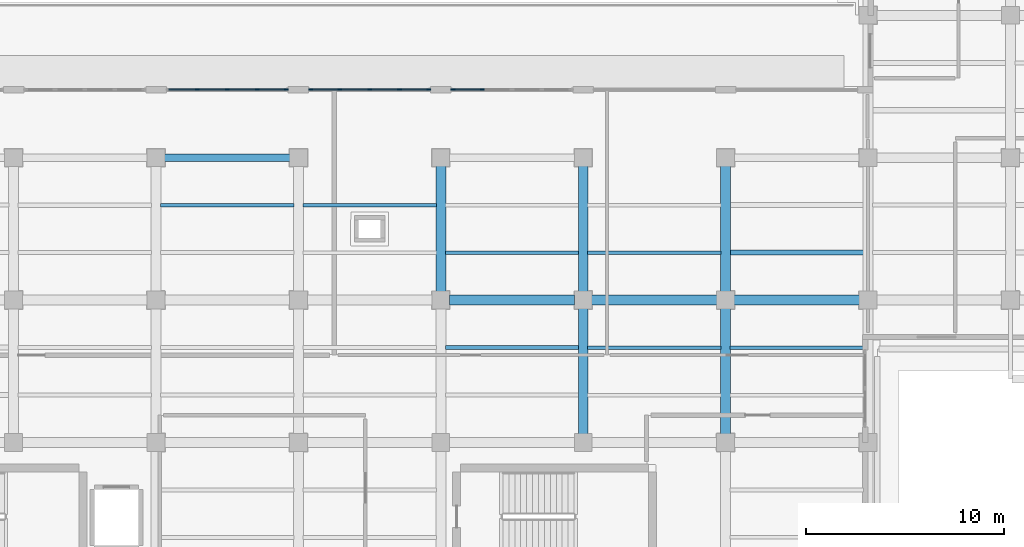
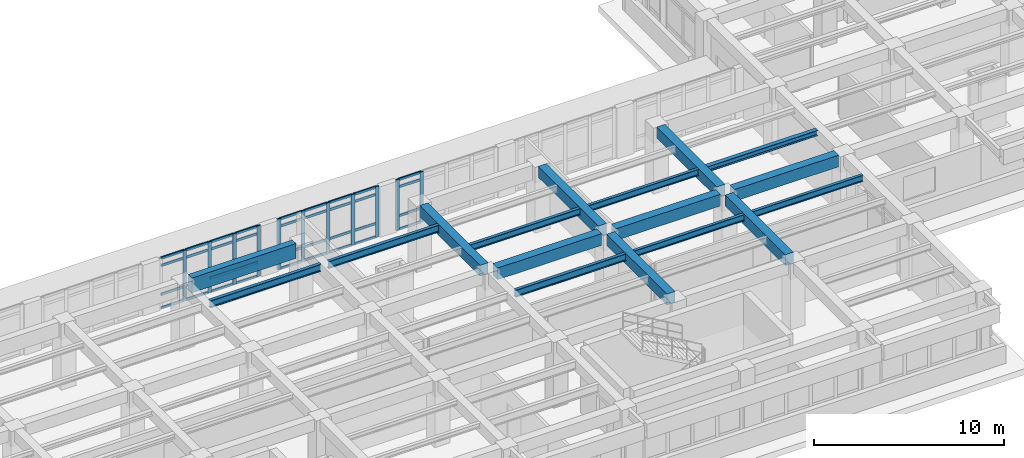
# One storey, part 14 of 69: 47 members, 17 beams, 3 elements without a shape of their own.
"""IFC4 building model written with IfcOpenShell, lengths in metres."""

from ifc_helpers import new_model, si_unit, direction, frame, origin, origin_2d, place, context, subcontext, project, spatial, rectangle, i_section, extrude, material, layer, layer_set, material_profile, profile_set, type_object, element, aggregate, save


model = new_model("IFC4")

# Units and contexts
model_context = context("Model", 3, precision=1e-05, world=origin(), true_north=direction((0.0, 1.0)))
body_context = subcontext(model_context, "Body", "Model", "MODEL_VIEW")
ifc_project = project(units=[si_unit("LENGTHUNIT", "METRE"), si_unit("AREAUNIT", "SQUARE_METRE"), si_unit("VOLUMEUNIT", "CUBIC_METRE"), si_unit("PLANEANGLEUNIT", "RADIAN"), si_unit("MASSUNIT", "GRAM", prefix="KILO")], contexts=[model_context])

# Site, building, storey
site_placement = place(None, origin())
site = spatial("IfcSite", under=ifc_project, at=site_placement, CompositionType="ELEMENT")
building_placement = place(site_placement, origin())
building = spatial("IfcBuilding", under=site, at=building_placement, Name="Solenvale Faculty of Natural Sciences", CompositionType="ELEMENT")
storey_placement = place(building_placement, frame((0.0, 0.0, 4.5)))
storey = spatial("IfcBuildingStorey", under=building, at=storey_placement, Name="L01", CompositionType="ELEMENT", Elevation=4.5)

# Beams
ifc_material_1 = material(Name="Concrete 40 MPa", Category="concrete")
ifc_material_profile_1 = material_profile(ifc_material_1, rectangle(XDim=0.5, YDim=0.699951171875, at=origin_2d()), Name="RC-BM-500x700")
ifc_profile_set_1 = profile_set([ifc_material_profile_1], Name="Concrete 40 MPa")
beam_type_1 = type_object("IfcBeamType", Name="BM-RC-500x700", PredefinedType="BEAM", material=ifc_profile_set_1)
for number, where, z_axis, x_axis, name in (
    (1, (93.60009765625, 36.429931640625, 3.8701171875), (0.0, 1.0, 0.0), (-1.0, 0.0, 0.0), "L01 Y-Girder X93.6 (36.0..43.2)"),
    (2, (100.800048828125, 29.22998046875, 3.8701171875), (0.0, 1.0, 0.0), (-1.0, 0.0, 0.0), "L01 Y-Girder X100.8 (28.8..36.0)"),
    (3, (100.800048828125, 36.429931640625, 3.8701171875), (0.0, 1.0, 0.0), (-1.0, 0.0, 0.0), "L01 Y-Girder X100.8 (36.0..43.2)"),
    (4, (108.0, 29.22998046875, 3.8701171875), (0.0, 1.0, 0.0), (-1.0, 0.0, 0.0), "L01 Y-Girder X108.0 (28.8..36.0)"),
    (5, (108.0, 36.429931640625, 3.8701171875), (0.0, 1.0, 0.0), (-1.0, 0.0, 0.0), "L01 Y-Girder X108.0 (36.0..43.2)"),
):
    element("IfcBeam", number, at=place(storey_placement, frame(where, z_axis=z_axis, x_axis=x_axis)), inside=storey, type_object=beam_type_1, Name=name, PredefinedType="BEAM", context=body_context, shape_type="SweptSolid", body=[
        extrude(rectangle(XDim=0.5, YDim=0.699951171875, at=origin_2d()), origin(), (0.0, 0.0, 1.0), 6.340087890625),
    ])
ifc_material_profile_2 = material_profile(ifc_material_1, rectangle(XDim=0.5, YDim=0.75, at=origin_2d()), Name="RC-BM-500x750")
ifc_profile_set_2 = profile_set([ifc_material_profile_2], Name="Concrete 40 MPa")
beam_type_2 = type_object("IfcBeamType", Name="BM-RC-500x750", PredefinedType="BEAM", material=ifc_profile_set_2)
for number, where, z_axis, x_axis, name in (
    (6, (94.030029296875, 36.0, 3.844970703125), (1.0, 0.0, 0.0), (0.0, 1.0, 0.0), "L01 X-Girder Y36.0 (93.6..100.8)"),
    (7, (101.22998046875, 36.0, 3.844970703125), (1.0, 0.0, 0.0), (0.0, 1.0, 0.0), "L01 X-Girder Y36.0 (100.8..108.0)"),
    (8, (108.429931640625, 36.0, 3.844970703125), (1.0, 0.0, 0.0), (0.0, 1.0, 0.0), "L01 X-Girder Y36.0 (108.0..115.2)"),
):
    element("IfcBeam", number, at=place(storey_placement, frame(where, z_axis=z_axis, x_axis=x_axis)), inside=storey, type_object=beam_type_2, Name=name, PredefinedType="BEAM", context=body_context, shape_type="SweptSolid", body=[
        extrude(rectangle(XDim=0.5, YDim=0.75, at=origin_2d()), origin(), (0.0, 0.0, 1.0), 6.340087890625),
    ])
ifc_material_2 = material(Name="Architectural bronze concrete 40 MPa", Category="concrete")
ifc_material_profile_3 = material_profile(ifc_material_2, rectangle(XDim=0.39990234375, YDim=0.949951171875, at=origin_2d()), Name="RC-SPN-400x950")
ifc_profile_set_3 = profile_set([ifc_material_profile_3], Name="Architectural bronze concrete 40 MPa")
beam_type_3 = type_object("IfcBeamType", Name="BM-SPN-BRZ-950", PredefinedType="SPANDREL", material=ifc_profile_set_3)
beam_1_placement = place(storey_placement, frame((79.6298828125, 43.199951171875, 3.7451171875), z_axis=(1.0, 0.0, 0.0), x_axis=(0.0, 1.0, 0.0)))
element("IfcBeam", 9, at=beam_1_placement, inside=storey, type_object=beam_type_3, Name="L02 Sliding-Tray North Bronze Fascia 4", PredefinedType="SPANDREL", context=body_context, shape_type="SweptSolid", body=[
    extrude(rectangle(XDim=0.39990234375, YDim=0.949951171875, at=origin_2d()), origin(), (0.0, 0.0, 1.0), 6.340087890625),
])
ifc_material_3 = material(Name="Steel S355", Category="steel")
ifc_material_profile_4 = material_profile(ifc_material_3, i_section(OverallWidth=0.2548828125, OverallDepth=0.35693359375, WebThickness=0.010498046875, FlangeThickness=0.018310546875, FilletRadius=0.014892578125, at=origin_2d()), Name="W360x101")
ifc_profile_set_4 = profile_set([ifc_material_profile_4], Name="Steel S355")
beam_type_4 = type_object("IfcBeamType", Name="BM-STL-W360x101", PredefinedType="JOIST", material=ifc_profile_set_4)
beam_2_placement = place(storey_placement, frame((108.22998046875, 38.39990234375, 4.04150390625), z_axis=(1.0, 0.0, 0.0), x_axis=(0.0, 1.0, 0.0)))
element("IfcBeam", 10, at=beam_2_placement, inside=storey, type_object=beam_type_4, Name="L01 Composite Floor Joist (16,6).1", PredefinedType="JOIST", context=body_context, shape_type="SweptSolid", body=[
    extrude(i_section(OverallWidth=0.2548828125, OverallDepth=0.35693359375, WebThickness=0.010498046875, FlangeThickness=0.018310546875, FilletRadius=0.014892578125, at=origin_2d()), origin(), (0.0, 0.0, 1.0), 6.739990234375),
])
ifc_material_profile_5 = material_profile(ifc_material_3, i_section(OverallWidth=0.178955078125, OverallDepth=0.409912109375, WebThickness=0.0087890625, FlangeThickness=0.014404296875, FilletRadius=0.01611328125, at=origin_2d()), Name="W410x67")
ifc_profile_set_5 = profile_set([ifc_material_profile_5], Name="Steel S355")
beam_type_5 = type_object("IfcBeamType", Name="BM-STL-W410x67", PredefinedType="JOIST", material=ifc_profile_set_5)
for number, where, z_axis, x_axis, name in (
    (11, (101.030029296875, 38.39990234375, 4.014892578125), (1.0, 0.0, 0.0), (0.0, 1.0, 0.0), "L01 Composite Floor Joist (15,6).1"),
    (12, (108.22998046875, 33.60009765625, 4.014892578125), (1.0, 0.0, 0.0), (0.0, 1.0, 0.0), "L01 Composite Floor Joist (16,5).2"),
):
    element("IfcBeam", number, at=place(storey_placement, frame(where, z_axis=z_axis, x_axis=x_axis)), inside=storey, type_object=beam_type_5, Name=name, PredefinedType="JOIST", context=body_context, shape_type="SweptSolid", body=[
        extrude(i_section(OverallWidth=0.178955078125, OverallDepth=0.409912109375, WebThickness=0.0087890625, FlangeThickness=0.014404296875, FilletRadius=0.01611328125, at=origin_2d()), origin(), (0.0, 0.0, 1.0), 6.739990234375),
    ])
ifc_material_profile_6 = material_profile(ifc_material_3, i_section(OverallWidth=0.180908203125, OverallDepth=0.4169921875, WebThickness=0.010986328125, FlangeThickness=0.018310546875, FilletRadius=0.01611328125, at=origin_2d()), Name="W410x85")
ifc_profile_set_6 = profile_set([ifc_material_profile_6], Name="Steel S355")
beam_type_6 = type_object("IfcBeamType", Name="BM-STL-W410x85", PredefinedType="JOIST", material=ifc_profile_set_6)
for number, where, z_axis, x_axis, name in (
    (13, (93.830078125, 38.39990234375, 4.011474609375), (1.0, 0.0, 0.0), (0.0, 1.0, 0.0), "L01 Composite Floor Joist (14,6).1"),
    (14, (101.030029296875, 33.60009765625, 4.011474609375), (1.0, 0.0, 0.0), (0.0, 1.0, 0.0), "L01 Composite Floor Joist (15,5).2"),
):
    element("IfcBeam", number, at=place(storey_placement, frame(where, z_axis=z_axis, x_axis=x_axis)), inside=storey, type_object=beam_type_6, Name=name, PredefinedType="JOIST", context=body_context, shape_type="SweptSolid", body=[
        extrude(i_section(OverallWidth=0.180908203125, OverallDepth=0.4169921875, WebThickness=0.010986328125, FlangeThickness=0.018310546875, FilletRadius=0.01611328125, at=origin_2d()), origin(), (0.0, 0.0, 1.0), 6.739990234375),
    ])
ifc_material_profile_7 = material_profile(ifc_material_3, i_section(OverallWidth=0.194091796875, OverallDepth=0.468994140625, WebThickness=0.0126953125, FlangeThickness=0.0205078125, FilletRadius=0.01806640625, at=origin_2d()), Name="W460x106")
ifc_profile_set_7 = profile_set([ifc_material_profile_7], Name="Steel S355")
beam_type_7 = type_object("IfcBeamType", Name="BM-STL-W460x106", PredefinedType="JOIST", material=ifc_profile_set_7)
beam_3_placement = place(storey_placement, frame((79.429931640625, 40.800048828125, 3.985595703125), z_axis=(1.0, 0.0, 0.0), x_axis=(0.0, 1.0, 0.0)))
element("IfcBeam", 15, at=beam_3_placement, inside=storey, type_object=beam_type_7, Name="L01 Composite Floor Joist (12,6).2", PredefinedType="JOIST", context=body_context, shape_type="SweptSolid", body=[
    extrude(i_section(OverallWidth=0.194091796875, OverallDepth=0.468994140625, WebThickness=0.0126953125, FlangeThickness=0.0205078125, FilletRadius=0.01806640625, at=origin_2d()), origin(), (0.0, 0.0, 1.0), 6.739990234375),
])
ifc_material_profile_8 = material_profile(ifc_material_3, i_section(OverallWidth=0.19091796875, OverallDepth=0.4599609375, WebThickness=0.010009765625, FlangeThickness=0.01611328125, FilletRadius=0.01806640625, at=origin_2d()), Name="W460x82")
ifc_profile_set_8 = profile_set([ifc_material_profile_8], Name="Steel S355")
beam_type_8 = type_object("IfcBeamType", Name="BM-STL-W460x82", PredefinedType="JOIST", material=ifc_profile_set_8)
beam_4_placement = place(storey_placement, frame((86.6298828125, 40.800048828125, 3.989990234375), z_axis=(1.0, 0.0, 0.0), x_axis=(0.0, 1.0, 0.0)))
element("IfcBeam", 16, at=beam_4_placement, inside=storey, type_object=beam_type_8, Name="L01 Composite Floor Joist (13,6).2", PredefinedType="JOIST", context=body_context, shape_type="SweptSolid", body=[
    extrude(i_section(OverallWidth=0.19091796875, OverallDepth=0.4599609375, WebThickness=0.010009765625, FlangeThickness=0.01611328125, FilletRadius=0.01806640625, at=origin_2d()), origin(), (0.0, 0.0, 1.0), 6.740234375),
])
beam_5_placement = place(storey_placement, frame((93.830078125, 33.60009765625, 3.989990234375), z_axis=(1.0, 0.0, 0.0), x_axis=(0.0, 1.0, 0.0)))
element("IfcBeam", 17, at=beam_5_placement, inside=storey, type_object=beam_type_8, Name="L01 Composite Floor Joist (14,5).2", PredefinedType="JOIST", context=body_context, shape_type="SweptSolid", body=[
    extrude(i_section(OverallWidth=0.19091796875, OverallDepth=0.4599609375, WebThickness=0.010009765625, FlangeThickness=0.01611328125, FilletRadius=0.01806640625, at=origin_2d()), origin(), (0.0, 0.0, 1.0), 6.739990234375),
])

# Curtain wall, members
ifc_material_4 = material(Name="Anodised bronze aluminium", Category="aluminium")
ifc_layer = layer(ifc_material_4, 0.18994140625)
ifc_layer_set = layer_set([ifc_layer], Name="Anodised bronze aluminium")
curtain_wall_type = type_object("IfcCurtainWallType", Name="CW-TRAY-REC", PredefinedType="USERDEFINED", material=ifc_layer_set)
curtain_wall_1_placement = place(storey_placement, origin())
curtain_wall_1 = element("IfcCurtainWall", 18, at=curtain_wall_1_placement, inside=storey, type_object=curtain_wall_type, Name="L01 Curtain Wall CW-L01-P1-E11-B3", ObjectType="UNITISED CURTAIN WALL", PredefinedType="USERDEFINED")
ifc_material_profile_9 = material_profile(ifc_material_4, rectangle(XDim=0.074951171875, YDim=0.2099609375, at=origin_2d()), Name="ALU-MUL-75x210")
ifc_profile_set_9 = profile_set([ifc_material_profile_9], Name="Anodised bronze aluminium")
member_type_1 = type_object("IfcMemberType", Name="CWM-ALU-75x210", PredefinedType="MULLION", material=ifc_profile_set_9)
member_1_placement = place(storey_placement, frame((95.68994140625, 46.637451171875, 0.0), z_axis=(0.0, 0.0, 1.0), x_axis=(0.0, -1.0, 0.0)))
member_1 = element("IfcMember", 19, at=member_1_placement, type_object=member_type_1, Name="CW-02 mullion 4", PredefinedType="MULLION", context=body_context, shape_type="SweptSolid", body=[
    extrude(rectangle(XDim=0.074951171875, YDim=0.2099609375, at=origin_2d()), origin(), (0.0, 0.0, 1.0), 3.260009765625),
])
member_2_placement = place(storey_placement, frame((94.217529296875, 46.637451171875, 0.0), z_axis=(0.0, 0.0, 1.0), x_axis=(0.0, -1.0, 0.0)))
member_2 = element("IfcMember", 20, at=member_2_placement, type_object=member_type_1, Name="CW-02 mullion 5", PredefinedType="MULLION", context=body_context, shape_type="SweptSolid", body=[
    extrude(rectangle(XDim=0.074951171875, YDim=0.2099609375, at=origin_2d()), origin(), (0.0, 0.0, 1.0), 3.260009765625),
])

curtain_wall_2_placement = place(storey_placement, origin())
curtain_wall_2 = element("IfcCurtainWall", 21, at=curtain_wall_2_placement, inside=storey, type_object=curtain_wall_type, Name="L01 Curtain Wall CW-L01-P1-E11-B4", ObjectType="UNITISED CURTAIN WALL", PredefinedType="USERDEFINED")
member_3_placement = place(storey_placement, frame((92.982421875, 46.637451171875, 0.0), z_axis=(0.0, 0.0, 1.0), x_axis=(0.0, -1.0, 0.0)))
member_3 = element("IfcMember", 22, at=member_3_placement, type_object=member_type_1, Name="CW-02 mullion 1", PredefinedType="MULLION", context=body_context, shape_type="SweptSolid", body=[
    extrude(rectangle(XDim=0.074951171875, YDim=0.2099609375, at=origin_2d()), origin(), (0.0, 0.0, 1.0), 3.260009765625),
])
member_4_placement = place(storey_placement, frame((91.510009765625, 46.637451171875, 0.0), z_axis=(0.0, 0.0, 1.0), x_axis=(0.0, -1.0, 0.0)))
member_4 = element("IfcMember", 23, at=member_4_placement, type_object=member_type_1, Name="CW-02 mullion 2", PredefinedType="MULLION", context=body_context, shape_type="SweptSolid", body=[
    extrude(rectangle(XDim=0.074951171875, YDim=0.2099609375, at=origin_2d()), origin(), (0.0, 0.0, 1.0), 3.260009765625),
])
member_5_placement = place(storey_placement, frame((90.0, 46.637451171875, 0.0), z_axis=(0.0, 0.0, 1.0), x_axis=(0.0, -1.0, 0.0)))
member_5 = element("IfcMember", 24, at=member_5_placement, type_object=member_type_1, Name="CW-02 mullion 3", PredefinedType="MULLION", context=body_context, shape_type="SweptSolid", body=[
    extrude(rectangle(XDim=0.074951171875, YDim=0.2099609375, at=origin_2d()), origin(), (0.0, 0.0, 1.0), 3.260009765625),
])
member_6_placement = place(storey_placement, frame((88.489990234375, 46.637451171875, 0.0), z_axis=(0.0, 0.0, 1.0), x_axis=(0.0, -1.0, 0.0)))
member_6 = element("IfcMember", 25, at=member_6_placement, type_object=member_type_1, Name="CW-02 mullion 4", PredefinedType="MULLION", context=body_context, shape_type="SweptSolid", body=[
    extrude(rectangle(XDim=0.074951171875, YDim=0.2099609375, at=origin_2d()), origin(), (0.0, 0.0, 1.0), 3.260009765625),
])
member_7_placement = place(storey_placement, frame((87.017578125, 46.637451171875, 0.0), z_axis=(0.0, 0.0, 1.0), x_axis=(0.0, -1.0, 0.0)))
member_7 = element("IfcMember", 26, at=member_7_placement, type_object=member_type_1, Name="CW-02 mullion 5", PredefinedType="MULLION", context=body_context, shape_type="SweptSolid", body=[
    extrude(rectangle(XDim=0.074951171875, YDim=0.2099609375, at=origin_2d()), origin(), (0.0, 0.0, 1.0), 3.260009765625),
])

curtain_wall_3_placement = place(storey_placement, origin())
curtain_wall_3 = element("IfcCurtainWall", 27, at=curtain_wall_3_placement, inside=storey, type_object=curtain_wall_type, Name="L01 Curtain Wall CW-L01-P1-E11-B5", ObjectType="UNITISED CURTAIN WALL", PredefinedType="USERDEFINED")
member_8_placement = place(storey_placement, frame((85.782470703125, 46.637451171875, 0.0), z_axis=(0.0, 0.0, 1.0), x_axis=(0.0, -1.0, 0.0)))
member_8 = element("IfcMember", 28, at=member_8_placement, type_object=member_type_1, Name="CW-02 mullion 1", PredefinedType="MULLION", context=body_context, shape_type="SweptSolid", body=[
    extrude(rectangle(XDim=0.074951171875, YDim=0.2099609375, at=origin_2d()), origin(), (0.0, 0.0, 1.0), 3.260009765625),
])
member_9_placement = place(storey_placement, frame((84.31005859375, 46.637451171875, 0.0), z_axis=(0.0, 0.0, 1.0), x_axis=(0.0, -1.0, 0.0)))
member_9 = element("IfcMember", 29, at=member_9_placement, type_object=member_type_1, Name="CW-02 mullion 2", PredefinedType="MULLION", context=body_context, shape_type="SweptSolid", body=[
    extrude(rectangle(XDim=0.074951171875, YDim=0.2099609375, at=origin_2d()), origin(), (0.0, 0.0, 1.0), 3.260009765625),
])
member_10_placement = place(storey_placement, frame((82.800048828125, 46.637451171875, 0.0), z_axis=(0.0, 0.0, 1.0), x_axis=(0.0, -1.0, 0.0)))
member_10 = element("IfcMember", 30, at=member_10_placement, type_object=member_type_1, Name="CW-02 mullion 3", PredefinedType="MULLION", context=body_context, shape_type="SweptSolid", body=[
    extrude(rectangle(XDim=0.074951171875, YDim=0.2099609375, at=origin_2d()), origin(), (0.0, 0.0, 1.0), 3.260009765625),
])
member_11_placement = place(storey_placement, frame((81.2900390625, 46.637451171875, 0.0), z_axis=(0.0, 0.0, 1.0), x_axis=(0.0, -1.0, 0.0)))
member_11 = element("IfcMember", 31, at=member_11_placement, type_object=member_type_1, Name="CW-02 mullion 4", PredefinedType="MULLION", context=body_context, shape_type="SweptSolid", body=[
    extrude(rectangle(XDim=0.074951171875, YDim=0.2099609375, at=origin_2d()), origin(), (0.0, 0.0, 1.0), 3.260009765625),
])

# Member
ifc_material_profile_10 = material_profile(ifc_material_4, rectangle(XDim=0.074951171875, YDim=0.155029296875, at=origin_2d()), Name="ALU-TRN-75x155")
ifc_profile_set_10 = profile_set([ifc_material_profile_10], Name="Anodised bronze aluminium")
member_type_2 = type_object("IfcMemberType", Name="CWT-ALU-75x155", PredefinedType="USERDEFINED", material=ifc_profile_set_10)
member_12_placement = place(storey_placement, frame((95.652587890625, 46.637451171875, 0.03759765625), z_axis=(-1.0, 0.0, 0.0), x_axis=(0.0, -1.0, 0.0)))
member_12 = element("IfcMember", 32, at=member_12_placement, type_object=member_type_2, Name="CW-02 transom 4.1", ObjectType="TRANSOM", PredefinedType="USERDEFINED", context=body_context, shape_type="SweptSolid", body=[
    extrude(rectangle(XDim=0.074951171875, YDim=0.155029296875, at=origin_2d()), origin(), (0.0, 0.0, 1.0), 1.397705078125),
])

member_13_placement = place(storey_placement, frame((95.652587890625, 46.637451171875, 0.89990234375), z_axis=(-1.0, 0.0, 0.0), x_axis=(0.0, -1.0, 0.0)))
member_13 = element("IfcMember", 33, at=member_13_placement, type_object=member_type_2, Name="CW-02 transom 4.2", ObjectType="TRANSOM", PredefinedType="USERDEFINED", context=body_context, shape_type="SweptSolid", body=[
    extrude(rectangle(XDim=0.074951171875, YDim=0.155029296875, at=origin_2d()), origin(), (0.0, 0.0, 1.0), 1.397705078125),
])

member_14_placement = place(storey_placement, frame((95.652587890625, 46.637451171875, 2.760009765625), z_axis=(-1.0, 0.0, 0.0), x_axis=(0.0, -1.0, 0.0)))
member_14 = element("IfcMember", 34, at=member_14_placement, type_object=member_type_2, Name="CW-02 transom 4.3", ObjectType="TRANSOM", PredefinedType="USERDEFINED", context=body_context, shape_type="SweptSolid", body=[
    extrude(rectangle(XDim=0.074951171875, YDim=0.155029296875, at=origin_2d()), origin(), (0.0, 0.0, 1.0), 1.397705078125),
])

member_15_placement = place(storey_placement, frame((95.652587890625, 46.637451171875, 3.222412109375), z_axis=(-1.0, 0.0, 0.0), x_axis=(0.0, -1.0, 0.0)))
member_15 = element("IfcMember", 35, at=member_15_placement, type_object=member_type_2, Name="CW-02 transom 4.4", ObjectType="TRANSOM", PredefinedType="USERDEFINED", context=body_context, shape_type="SweptSolid", body=[
    extrude(rectangle(XDim=0.074951171875, YDim=0.155029296875, at=origin_2d()), origin(), (0.0, 0.0, 1.0), 1.397705078125),
])

aggregate(curtain_wall_1, [member_1, member_2, member_12, member_13, member_14, member_15])

member_16_placement = place(storey_placement, frame((92.945068359375, 46.637451171875, 0.03759765625), z_axis=(-1.0, 0.0, 0.0), x_axis=(0.0, -1.0, 0.0)))
member_16 = element("IfcMember", 36, at=member_16_placement, type_object=member_type_2, Name="CW-02 transom 1.1", ObjectType="TRANSOM", PredefinedType="USERDEFINED", context=body_context, shape_type="SweptSolid", body=[
    extrude(rectangle(XDim=0.074951171875, YDim=0.155029296875, at=origin_2d()), origin(), (0.0, 0.0, 1.0), 1.3974609375),
])

member_17_placement = place(storey_placement, frame((92.945068359375, 46.637451171875, 0.89990234375), z_axis=(-1.0, 0.0, 0.0), x_axis=(0.0, -1.0, 0.0)))
member_17 = element("IfcMember", 37, at=member_17_placement, type_object=member_type_2, Name="CW-02 transom 1.2", ObjectType="TRANSOM", PredefinedType="USERDEFINED", context=body_context, shape_type="SweptSolid", body=[
    extrude(rectangle(XDim=0.074951171875, YDim=0.155029296875, at=origin_2d()), origin(), (0.0, 0.0, 1.0), 1.3974609375),
])

member_18_placement = place(storey_placement, frame((92.945068359375, 46.637451171875, 2.760009765625), z_axis=(-1.0, 0.0, 0.0), x_axis=(0.0, -1.0, 0.0)))
member_18 = element("IfcMember", 38, at=member_18_placement, type_object=member_type_2, Name="CW-02 transom 1.3", ObjectType="TRANSOM", PredefinedType="USERDEFINED", context=body_context, shape_type="SweptSolid", body=[
    extrude(rectangle(XDim=0.074951171875, YDim=0.155029296875, at=origin_2d()), origin(), (0.0, 0.0, 1.0), 1.3974609375),
])

member_19_placement = place(storey_placement, frame((92.945068359375, 46.637451171875, 3.222412109375), z_axis=(-1.0, 0.0, 0.0), x_axis=(0.0, -1.0, 0.0)))
member_19 = element("IfcMember", 39, at=member_19_placement, type_object=member_type_2, Name="CW-02 transom 1.4", ObjectType="TRANSOM", PredefinedType="USERDEFINED", context=body_context, shape_type="SweptSolid", body=[
    extrude(rectangle(XDim=0.074951171875, YDim=0.155029296875, at=origin_2d()), origin(), (0.0, 0.0, 1.0), 1.3974609375),
])

member_20_placement = place(storey_placement, frame((91.472412109375, 46.637451171875, 0.03759765625), z_axis=(-1.0, 0.0, 0.0), x_axis=(0.0, -1.0, 0.0)))
member_20 = element("IfcMember", 40, at=member_20_placement, type_object=member_type_2, Name="CW-02 transom 2.1", ObjectType="TRANSOM", PredefinedType="USERDEFINED", context=body_context, shape_type="SweptSolid", body=[
    extrude(rectangle(XDim=0.074951171875, YDim=0.155029296875, at=origin_2d()), origin(), (0.0, 0.0, 1.0), 1.434814453125),
])

member_21_placement = place(storey_placement, frame((91.472412109375, 46.637451171875, 0.89990234375), z_axis=(-1.0, 0.0, 0.0), x_axis=(0.0, -1.0, 0.0)))
member_21 = element("IfcMember", 41, at=member_21_placement, type_object=member_type_2, Name="CW-02 transom 2.2", ObjectType="TRANSOM", PredefinedType="USERDEFINED", context=body_context, shape_type="SweptSolid", body=[
    extrude(rectangle(XDim=0.074951171875, YDim=0.155029296875, at=origin_2d()), origin(), (0.0, 0.0, 1.0), 1.434814453125),
])

member_22_placement = place(storey_placement, frame((91.472412109375, 46.637451171875, 2.760009765625), z_axis=(-1.0, 0.0, 0.0), x_axis=(0.0, -1.0, 0.0)))
member_22 = element("IfcMember", 42, at=member_22_placement, type_object=member_type_2, Name="CW-02 transom 2.3", ObjectType="TRANSOM", PredefinedType="USERDEFINED", context=body_context, shape_type="SweptSolid", body=[
    extrude(rectangle(XDim=0.074951171875, YDim=0.155029296875, at=origin_2d()), origin(), (0.0, 0.0, 1.0), 1.434814453125),
])

member_23_placement = place(storey_placement, frame((91.472412109375, 46.637451171875, 3.222412109375), z_axis=(-1.0, 0.0, 0.0), x_axis=(0.0, -1.0, 0.0)))
member_23 = element("IfcMember", 43, at=member_23_placement, type_object=member_type_2, Name="CW-02 transom 2.4", ObjectType="TRANSOM", PredefinedType="USERDEFINED", context=body_context, shape_type="SweptSolid", body=[
    extrude(rectangle(XDim=0.074951171875, YDim=0.155029296875, at=origin_2d()), origin(), (0.0, 0.0, 1.0), 1.434814453125),
])

member_24_placement = place(storey_placement, frame((89.96240234375, 46.637451171875, 0.03759765625), z_axis=(-1.0, 0.0, 0.0), x_axis=(0.0, -1.0, 0.0)))
member_24 = element("IfcMember", 44, at=member_24_placement, type_object=member_type_2, Name="CW-02 transom 3.1", ObjectType="TRANSOM", PredefinedType="USERDEFINED", context=body_context, shape_type="SweptSolid", body=[
    extrude(rectangle(XDim=0.074951171875, YDim=0.155029296875, at=origin_2d()), origin(), (0.0, 0.0, 1.0), 1.434814453125),
])

member_25_placement = place(storey_placement, frame((89.96240234375, 46.637451171875, 0.89990234375), z_axis=(-1.0, 0.0, 0.0), x_axis=(0.0, -1.0, 0.0)))
member_25 = element("IfcMember", 45, at=member_25_placement, type_object=member_type_2, Name="CW-02 transom 3.2", ObjectType="TRANSOM", PredefinedType="USERDEFINED", context=body_context, shape_type="SweptSolid", body=[
    extrude(rectangle(XDim=0.074951171875, YDim=0.155029296875, at=origin_2d()), origin(), (0.0, 0.0, 1.0), 1.434814453125),
])

member_26_placement = place(storey_placement, frame((89.96240234375, 46.637451171875, 2.760009765625), z_axis=(-1.0, 0.0, 0.0), x_axis=(0.0, -1.0, 0.0)))
member_26 = element("IfcMember", 46, at=member_26_placement, type_object=member_type_2, Name="CW-02 transom 3.3", ObjectType="TRANSOM", PredefinedType="USERDEFINED", context=body_context, shape_type="SweptSolid", body=[
    extrude(rectangle(XDim=0.074951171875, YDim=0.155029296875, at=origin_2d()), origin(), (0.0, 0.0, 1.0), 1.434814453125),
])

member_27_placement = place(storey_placement, frame((89.96240234375, 46.637451171875, 3.222412109375), z_axis=(-1.0, 0.0, 0.0), x_axis=(0.0, -1.0, 0.0)))
member_27 = element("IfcMember", 47, at=member_27_placement, type_object=member_type_2, Name="CW-02 transom 3.4", ObjectType="TRANSOM", PredefinedType="USERDEFINED", context=body_context, shape_type="SweptSolid", body=[
    extrude(rectangle(XDim=0.074951171875, YDim=0.155029296875, at=origin_2d()), origin(), (0.0, 0.0, 1.0), 1.434814453125),
])

member_28_placement = place(storey_placement, frame((88.452392578125, 46.637451171875, 0.03759765625), z_axis=(-1.0, 0.0, 0.0), x_axis=(0.0, -1.0, 0.0)))
member_28 = element("IfcMember", 48, at=member_28_placement, type_object=member_type_2, Name="CW-02 transom 4.1", ObjectType="TRANSOM", PredefinedType="USERDEFINED", context=body_context, shape_type="SweptSolid", body=[
    extrude(rectangle(XDim=0.074951171875, YDim=0.155029296875, at=origin_2d()), origin(), (0.0, 0.0, 1.0), 1.3974609375),
])

member_29_placement = place(storey_placement, frame((88.452392578125, 46.637451171875, 0.89990234375), z_axis=(-1.0, 0.0, 0.0), x_axis=(0.0, -1.0, 0.0)))
member_29 = element("IfcMember", 49, at=member_29_placement, type_object=member_type_2, Name="CW-02 transom 4.2", ObjectType="TRANSOM", PredefinedType="USERDEFINED", context=body_context, shape_type="SweptSolid", body=[
    extrude(rectangle(XDim=0.074951171875, YDim=0.155029296875, at=origin_2d()), origin(), (0.0, 0.0, 1.0), 1.3974609375),
])

member_30_placement = place(storey_placement, frame((88.452392578125, 46.637451171875, 2.760009765625), z_axis=(-1.0, 0.0, 0.0), x_axis=(0.0, -1.0, 0.0)))
member_30 = element("IfcMember", 50, at=member_30_placement, type_object=member_type_2, Name="CW-02 transom 4.3", ObjectType="TRANSOM", PredefinedType="USERDEFINED", context=body_context, shape_type="SweptSolid", body=[
    extrude(rectangle(XDim=0.074951171875, YDim=0.155029296875, at=origin_2d()), origin(), (0.0, 0.0, 1.0), 1.3974609375),
])

member_31_placement = place(storey_placement, frame((88.452392578125, 46.637451171875, 3.222412109375), z_axis=(-1.0, 0.0, 0.0), x_axis=(0.0, -1.0, 0.0)))
member_31 = element("IfcMember", 51, at=member_31_placement, type_object=member_type_2, Name="CW-02 transom 4.4", ObjectType="TRANSOM", PredefinedType="USERDEFINED", context=body_context, shape_type="SweptSolid", body=[
    extrude(rectangle(XDim=0.074951171875, YDim=0.155029296875, at=origin_2d()), origin(), (0.0, 0.0, 1.0), 1.3974609375),
])

aggregate(curtain_wall_2, [member_3, member_4, member_5, member_6, member_7, member_16, member_17, member_18, member_19, member_20, member_21, member_22, member_23, member_24, member_25, member_26, member_27, member_28, member_29, member_30, member_31])

member_32_placement = place(storey_placement, frame((85.7451171875, 46.637451171875, 0.03759765625), z_axis=(-1.0, 0.0, 0.0), x_axis=(0.0, -1.0, 0.0)))
member_32 = element("IfcMember", 52, at=member_32_placement, type_object=member_type_2, Name="CW-02 transom 1.1", ObjectType="TRANSOM", PredefinedType="USERDEFINED", context=body_context, shape_type="SweptSolid", body=[
    extrude(rectangle(XDim=0.074951171875, YDim=0.155029296875, at=origin_2d()), origin(), (0.0, 0.0, 1.0), 1.397705078125),
])

member_33_placement = place(storey_placement, frame((85.7451171875, 46.637451171875, 0.89990234375), z_axis=(-1.0, 0.0, 0.0), x_axis=(0.0, -1.0, 0.0)))
member_33 = element("IfcMember", 53, at=member_33_placement, type_object=member_type_2, Name="CW-02 transom 1.2", ObjectType="TRANSOM", PredefinedType="USERDEFINED", context=body_context, shape_type="SweptSolid", body=[
    extrude(rectangle(XDim=0.074951171875, YDim=0.155029296875, at=origin_2d()), origin(), (0.0, 0.0, 1.0), 1.397705078125),
])

member_34_placement = place(storey_placement, frame((85.7451171875, 46.637451171875, 2.760009765625), z_axis=(-1.0, 0.0, 0.0), x_axis=(0.0, -1.0, 0.0)))
member_34 = element("IfcMember", 54, at=member_34_placement, type_object=member_type_2, Name="CW-02 transom 1.3", ObjectType="TRANSOM", PredefinedType="USERDEFINED", context=body_context, shape_type="SweptSolid", body=[
    extrude(rectangle(XDim=0.074951171875, YDim=0.155029296875, at=origin_2d()), origin(), (0.0, 0.0, 1.0), 1.397705078125),
])

member_35_placement = place(storey_placement, frame((85.7451171875, 46.637451171875, 3.222412109375), z_axis=(-1.0, 0.0, 0.0), x_axis=(0.0, -1.0, 0.0)))
member_35 = element("IfcMember", 55, at=member_35_placement, type_object=member_type_2, Name="CW-02 transom 1.4", ObjectType="TRANSOM", PredefinedType="USERDEFINED", context=body_context, shape_type="SweptSolid", body=[
    extrude(rectangle(XDim=0.074951171875, YDim=0.155029296875, at=origin_2d()), origin(), (0.0, 0.0, 1.0), 1.397705078125),
])

member_36_placement = place(storey_placement, frame((84.2724609375, 46.637451171875, 0.03759765625), z_axis=(-1.0, 0.0, 0.0), x_axis=(0.0, -1.0, 0.0)))
member_36 = element("IfcMember", 56, at=member_36_placement, type_object=member_type_2, Name="CW-02 transom 2.1", ObjectType="TRANSOM", PredefinedType="USERDEFINED", context=body_context, shape_type="SweptSolid", body=[
    extrude(rectangle(XDim=0.074951171875, YDim=0.155029296875, at=origin_2d()), origin(), (0.0, 0.0, 1.0), 1.43505859375),
])

member_37_placement = place(storey_placement, frame((84.2724609375, 46.637451171875, 0.89990234375), z_axis=(-1.0, 0.0, 0.0), x_axis=(0.0, -1.0, 0.0)))
member_37 = element("IfcMember", 57, at=member_37_placement, type_object=member_type_2, Name="CW-02 transom 2.2", ObjectType="TRANSOM", PredefinedType="USERDEFINED", context=body_context, shape_type="SweptSolid", body=[
    extrude(rectangle(XDim=0.074951171875, YDim=0.155029296875, at=origin_2d()), origin(), (0.0, 0.0, 1.0), 1.43505859375),
])

member_38_placement = place(storey_placement, frame((84.2724609375, 46.637451171875, 2.760009765625), z_axis=(-1.0, 0.0, 0.0), x_axis=(0.0, -1.0, 0.0)))
member_38 = element("IfcMember", 58, at=member_38_placement, type_object=member_type_2, Name="CW-02 transom 2.3", ObjectType="TRANSOM", PredefinedType="USERDEFINED", context=body_context, shape_type="SweptSolid", body=[
    extrude(rectangle(XDim=0.074951171875, YDim=0.155029296875, at=origin_2d()), origin(), (0.0, 0.0, 1.0), 1.43505859375),
])

member_39_placement = place(storey_placement, frame((84.2724609375, 46.637451171875, 3.222412109375), z_axis=(-1.0, 0.0, 0.0), x_axis=(0.0, -1.0, 0.0)))
member_39 = element("IfcMember", 59, at=member_39_placement, type_object=member_type_2, Name="CW-02 transom 2.4", ObjectType="TRANSOM", PredefinedType="USERDEFINED", context=body_context, shape_type="SweptSolid", body=[
    extrude(rectangle(XDim=0.074951171875, YDim=0.155029296875, at=origin_2d()), origin(), (0.0, 0.0, 1.0), 1.43505859375),
])

member_40_placement = place(storey_placement, frame((82.762451171875, 46.637451171875, 0.03759765625), z_axis=(-1.0, 0.0, 0.0), x_axis=(0.0, -1.0, 0.0)))
member_40 = element("IfcMember", 60, at=member_40_placement, type_object=member_type_2, Name="CW-02 transom 3.1", ObjectType="TRANSOM", PredefinedType="USERDEFINED", context=body_context, shape_type="SweptSolid", body=[
    extrude(rectangle(XDim=0.074951171875, YDim=0.155029296875, at=origin_2d()), origin(), (0.0, 0.0, 1.0), 1.43505859375),
])

member_41_placement = place(storey_placement, frame((82.762451171875, 46.637451171875, 0.89990234375), z_axis=(-1.0, 0.0, 0.0), x_axis=(0.0, -1.0, 0.0)))
member_41 = element("IfcMember", 61, at=member_41_placement, type_object=member_type_2, Name="CW-02 transom 3.2", ObjectType="TRANSOM", PredefinedType="USERDEFINED", context=body_context, shape_type="SweptSolid", body=[
    extrude(rectangle(XDim=0.074951171875, YDim=0.155029296875, at=origin_2d()), origin(), (0.0, 0.0, 1.0), 1.43505859375),
])

member_42_placement = place(storey_placement, frame((82.762451171875, 46.637451171875, 2.760009765625), z_axis=(-1.0, 0.0, 0.0), x_axis=(0.0, -1.0, 0.0)))
member_42 = element("IfcMember", 62, at=member_42_placement, type_object=member_type_2, Name="CW-02 transom 3.3", ObjectType="TRANSOM", PredefinedType="USERDEFINED", context=body_context, shape_type="SweptSolid", body=[
    extrude(rectangle(XDim=0.074951171875, YDim=0.155029296875, at=origin_2d()), origin(), (0.0, 0.0, 1.0), 1.43505859375),
])

member_43_placement = place(storey_placement, frame((82.762451171875, 46.637451171875, 3.222412109375), z_axis=(-1.0, 0.0, 0.0), x_axis=(0.0, -1.0, 0.0)))
member_43 = element("IfcMember", 63, at=member_43_placement, type_object=member_type_2, Name="CW-02 transom 3.4", ObjectType="TRANSOM", PredefinedType="USERDEFINED", context=body_context, shape_type="SweptSolid", body=[
    extrude(rectangle(XDim=0.074951171875, YDim=0.155029296875, at=origin_2d()), origin(), (0.0, 0.0, 1.0), 1.43505859375),
])

member_44_placement = place(storey_placement, frame((81.25244140625, 46.637451171875, 0.03759765625), z_axis=(-1.0, 0.0, 0.0), x_axis=(0.0, -1.0, 0.0)))
member_44 = element("IfcMember", 64, at=member_44_placement, type_object=member_type_2, Name="CW-02 transom 4.1", ObjectType="TRANSOM", PredefinedType="USERDEFINED", context=body_context, shape_type="SweptSolid", body=[
    extrude(rectangle(XDim=0.074951171875, YDim=0.155029296875, at=origin_2d()), origin(), (0.0, 0.0, 1.0), 1.3974609375),
])

member_45_placement = place(storey_placement, frame((81.25244140625, 46.637451171875, 0.89990234375), z_axis=(-1.0, 0.0, 0.0), x_axis=(0.0, -1.0, 0.0)))
member_45 = element("IfcMember", 65, at=member_45_placement, type_object=member_type_2, Name="CW-02 transom 4.2", ObjectType="TRANSOM", PredefinedType="USERDEFINED", context=body_context, shape_type="SweptSolid", body=[
    extrude(rectangle(XDim=0.074951171875, YDim=0.155029296875, at=origin_2d()), origin(), (0.0, 0.0, 1.0), 1.3974609375),
])

member_46_placement = place(storey_placement, frame((81.25244140625, 46.637451171875, 2.760009765625), z_axis=(-1.0, 0.0, 0.0), x_axis=(0.0, -1.0, 0.0)))
member_46 = element("IfcMember", 66, at=member_46_placement, type_object=member_type_2, Name="CW-02 transom 4.3", ObjectType="TRANSOM", PredefinedType="USERDEFINED", context=body_context, shape_type="SweptSolid", body=[
    extrude(rectangle(XDim=0.074951171875, YDim=0.155029296875, at=origin_2d()), origin(), (0.0, 0.0, 1.0), 1.3974609375),
])

member_47_placement = place(storey_placement, frame((81.25244140625, 46.637451171875, 3.222412109375), z_axis=(-1.0, 0.0, 0.0), x_axis=(0.0, -1.0, 0.0)))
member_47 = element("IfcMember", 67, at=member_47_placement, type_object=member_type_2, Name="CW-02 transom 4.4", ObjectType="TRANSOM", PredefinedType="USERDEFINED", context=body_context, shape_type="SweptSolid", body=[
    extrude(rectangle(XDim=0.074951171875, YDim=0.155029296875, at=origin_2d()), origin(), (0.0, 0.0, 1.0), 1.3974609375),
])

aggregate(curtain_wall_3, [member_8, member_9, member_10, member_11, member_32, member_33, member_34, member_35, member_36, member_37, member_38, member_39, member_40, member_41, member_42, member_43, member_44, member_45, member_46, member_47])

save(model, "model.ifc")
